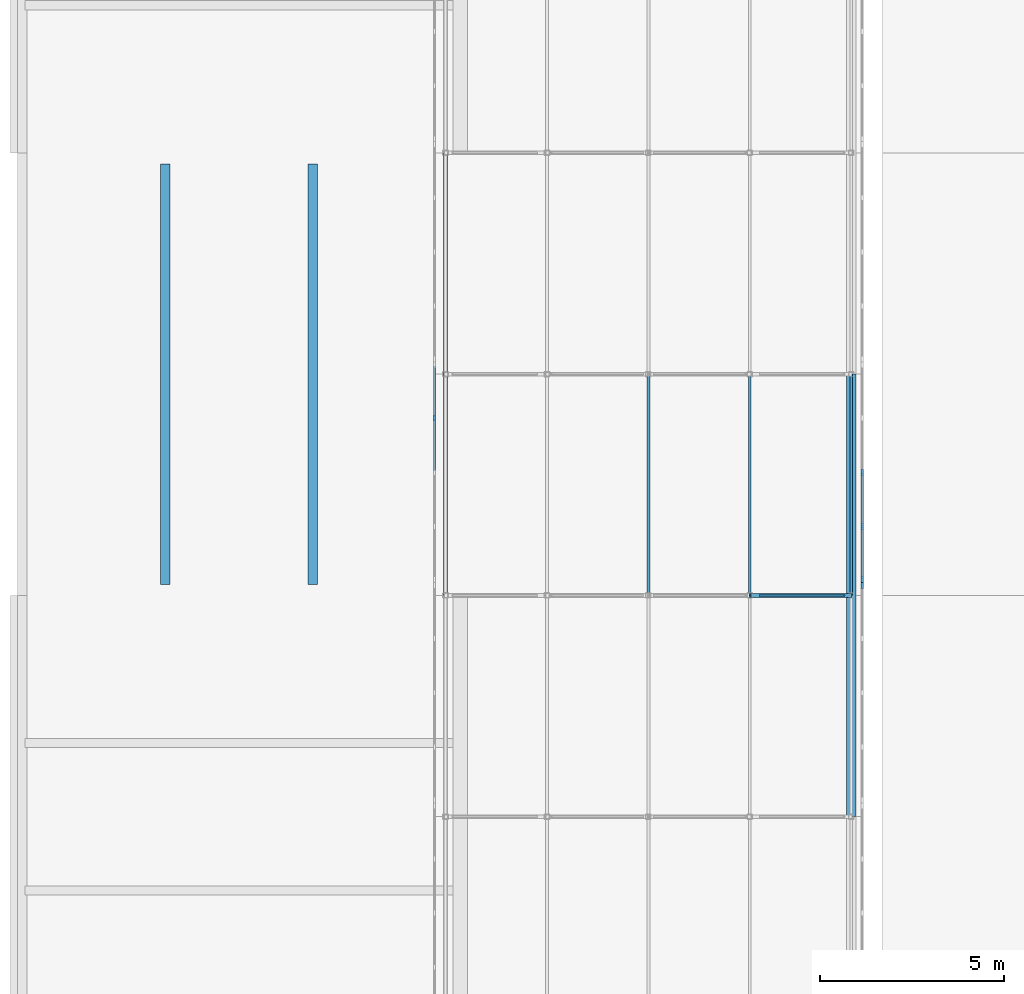
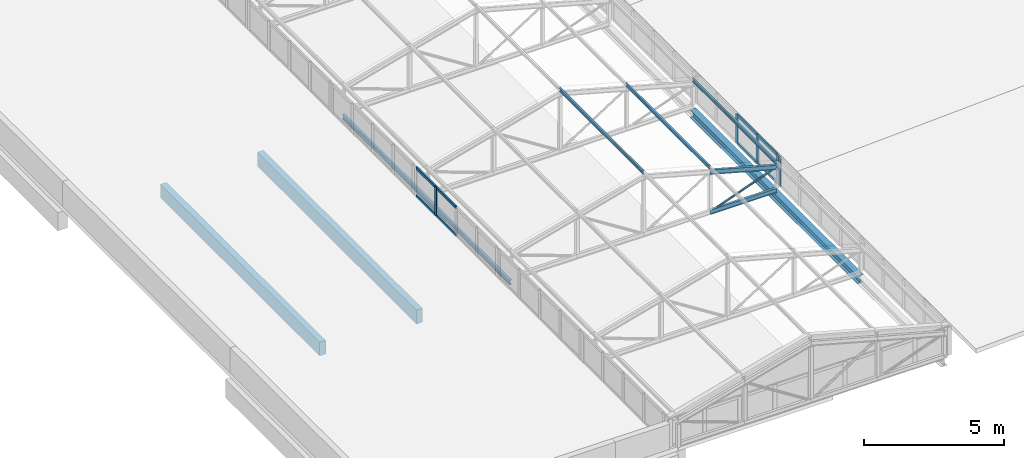
# One storey, part 6 of 94: 19 members, 4 beams, 3 elements without a shape of their own.
"""IFC4 building model written with IfcOpenShell, lengths in metres."""

from ifc_helpers import new_model, si_unit, direction, frame, origin, origin_2d, place, context, subcontext, project, spatial, rectangle, hollow_circle, i_section, extrude, material, layer, layer_set, material_profile, profile_set, type_object, element, aggregate, save


model = new_model("IFC4")

# Units and contexts
model_context = context("Model", 3, precision=1e-05, world=origin(), true_north=direction((0.0, 1.0)))
body_context = subcontext(model_context, "Body", "Model", "MODEL_VIEW")
ifc_project = project(units=[si_unit("LENGTHUNIT", "METRE"), si_unit("AREAUNIT", "SQUARE_METRE"), si_unit("VOLUMEUNIT", "CUBIC_METRE"), si_unit("PLANEANGLEUNIT", "RADIAN"), si_unit("MASSUNIT", "GRAM", prefix="KILO")], contexts=[model_context])

# Site, building, storey
site_placement = place(None, origin())
site = spatial("IfcSite", under=ifc_project, at=site_placement, CompositionType="ELEMENT")
building_placement = place(site_placement, origin())
building = spatial("IfcBuilding", under=site, at=building_placement, Name="Lilac Gate Convention Centre", CompositionType="ELEMENT")
storey_placement = place(building_placement, frame((0.0, 0.0, 21.0)))
storey = spatial("IfcBuildingStorey", under=building, at=storey_placement, Name="L04", CompositionType="ELEMENT", Elevation=21.0)

# Curtain wall, member
ifc_material_1 = material(Name="Aluminium framed double glazing", Category="aluminium")
ifc_layer = layer(ifc_material_1, 0.199951171875)
ifc_layer_set = layer_set([ifc_layer], Name="Aluminium framed double glazing")
curtain_wall_type = type_object("IfcCurtainWallType", Name="Unitised curtain wall 1500", PredefinedType="NOTDEFINED", material=ifc_layer_set)
curtain_wall_1_placement = place(storey_placement, origin())
curtain_wall_1 = element("IfcCurtainWall", 1, at=curtain_wall_1_placement, inside=storey, type_object=curtain_wall_type, Name="Lantern clerestory W 3", PredefinedType="NOTDEFINED")
ifc_material_2 = material(Name="Aluminium alloy 6063", Category="aluminium")
ifc_material_profile_1 = material_profile(ifc_material_2, rectangle(XDim=0.06005859375, YDim=0.159912109375, at=origin_2d()), Name="Curtain wall mullion 60 x 160")
ifc_profile_set_1 = profile_set([ifc_material_profile_1], Name="Aluminium alloy 6063")
member_type_1 = type_object("IfcMemberType", Name="Curtain wall mullion 60 x 160", PredefinedType="MULLION", material=ifc_profile_set_1)
member_1_placement = place(storey_placement, frame((17.300048828125, 46.80615234375, 0.0), z_axis=(0.0, 0.0, 1.0), x_axis=(-1.0, 0.0, 0.0)))
member_1 = element("IfcMember", 2, at=member_1_placement, type_object=member_type_1, Name="CW mullion 4", PredefinedType="MULLION", context=body_context, shape_type="SweptSolid", body=[
    extrude(rectangle(XDim=0.06005859375, YDim=0.159912109375, at=origin_2d()), origin(), (0.0, 0.0, 1.0), 1.272216796875),
])

curtain_wall_2_placement = place(storey_placement, origin())
curtain_wall_2 = element("IfcCurtainWall", 3, at=curtain_wall_2_placement, inside=storey, type_object=curtain_wall_type, Name="Lantern clerestory E 2", PredefinedType="NOTDEFINED")
member_2_placement = place(storey_placement, frame((28.89990234375, 42.27001953125, 0.0), z_axis=(0.0, 0.0, 1.0), x_axis=(-1.0, 0.0, 0.0)))
member_2 = element("IfcMember", 4, at=member_2_placement, type_object=member_type_1, Name="CW mullion 5", PredefinedType="MULLION", context=body_context, shape_type="SweptSolid", body=[
    extrude(rectangle(XDim=0.06005859375, YDim=0.159912109375, at=origin_2d()), origin(), (0.0, 0.0, 1.0), 1.272216796875),
])
aggregate(curtain_wall_2, [member_2])

# Curtain wall, members
curtain_wall_3_placement = place(storey_placement, origin())
curtain_wall_3 = element("IfcCurtainWall", 5, at=curtain_wall_3_placement, inside=storey, type_object=curtain_wall_type, Name="Lantern clerestory E 3", PredefinedType="NOTDEFINED")
member_3_placement = place(storey_placement, frame((28.89990234375, 42.429931640625, 0.0), z_axis=(0.0, 0.0, 1.0), x_axis=(-1.0, 0.0, 0.0)))
member_3 = element("IfcMember", 6, at=member_3_placement, type_object=member_type_1, Name="CW mullion 1", PredefinedType="MULLION", context=body_context, shape_type="SweptSolid", body=[
    extrude(rectangle(XDim=0.06005859375, YDim=0.159912109375, at=origin_2d()), origin(), (0.0, 0.0, 1.0), 1.272216796875),
])
member_4_placement = place(storey_placement, frame((28.89990234375, 43.86865234375, 0.0), z_axis=(0.0, 0.0, 1.0), x_axis=(-1.0, 0.0, 0.0)))
member_4 = element("IfcMember", 7, at=member_4_placement, type_object=member_type_1, Name="CW mullion 2", PredefinedType="MULLION", context=body_context, shape_type="SweptSolid", body=[
    extrude(rectangle(XDim=0.06005859375, YDim=0.159912109375, at=origin_2d()), origin(), (0.0, 0.0, 1.0), 1.272216796875),
])
member_5_placement = place(storey_placement, frame((28.89990234375, 45.33740234375, 0.0), z_axis=(0.0, 0.0, 1.0), x_axis=(-1.0, 0.0, 0.0)))
member_5 = element("IfcMember", 8, at=member_5_placement, type_object=member_type_1, Name="CW mullion 3", PredefinedType="MULLION", context=body_context, shape_type="SweptSolid", body=[
    extrude(rectangle(XDim=0.06005859375, YDim=0.159912109375, at=origin_2d()), origin(), (0.0, 0.0, 1.0), 1.272216796875),
])

# Member
ifc_material_profile_2 = material_profile(ifc_material_2, rectangle(XDim=0.06005859375, YDim=0.1201171875, at=origin_2d()), Name="Curtain wall transom 60 x 120")
ifc_profile_set_2 = profile_set([ifc_material_profile_2], Name="Aluminium alloy 6063")
member_type_2 = type_object("IfcMemberType", Name="Curtain wall transom 60 x 120", PredefinedType="USERDEFINED", material=ifc_profile_set_2)
member_6_placement = place(storey_placement, frame((17.300048828125, 45.367431640625, 0.030029296875), z_axis=(0.0, 1.0, 0.0), x_axis=(-1.0, 0.0, 0.0)))
member_6 = element("IfcMember", 9, at=member_6_placement, type_object=member_type_2, Name="CW transom 3.1", ObjectType="TRANSOM", PredefinedType="USERDEFINED", context=body_context, shape_type="SweptSolid", body=[
    extrude(rectangle(XDim=0.06005859375, YDim=0.1201171875, at=origin_2d()), origin(), (0.0, 0.0, 1.0), 1.40869140625),
])

member_7_placement = place(storey_placement, frame((17.300048828125, 45.367431640625, 1.2421875), z_axis=(0.0, 1.0, 0.0), x_axis=(-1.0, 0.0, 0.0)))
member_7 = element("IfcMember", 10, at=member_7_placement, type_object=member_type_2, Name="CW transom 3.2", ObjectType="TRANSOM", PredefinedType="USERDEFINED", context=body_context, shape_type="SweptSolid", body=[
    extrude(rectangle(XDim=0.06005859375, YDim=0.1201171875, at=origin_2d()), origin(), (0.0, 0.0, 1.0), 1.40869140625),
])

member_8_placement = place(storey_placement, frame((17.300048828125, 46.836181640625, 0.030029296875), z_axis=(0.0, 1.0, 0.0), x_axis=(-1.0, 0.0, 0.0)))
member_8 = element("IfcMember", 11, at=member_8_placement, type_object=member_type_2, Name="CW transom 4.1", ObjectType="TRANSOM", PredefinedType="USERDEFINED", context=body_context, shape_type="SweptSolid", body=[
    extrude(rectangle(XDim=0.06005859375, YDim=0.1201171875, at=origin_2d()), origin(), (0.0, 0.0, 1.0), 1.378662109375),
])

member_9_placement = place(storey_placement, frame((17.300048828125, 46.836181640625, 1.2421875), z_axis=(0.0, 1.0, 0.0), x_axis=(-1.0, 0.0, 0.0)))
member_9 = element("IfcMember", 12, at=member_9_placement, type_object=member_type_2, Name="CW transom 4.2", ObjectType="TRANSOM", PredefinedType="USERDEFINED", context=body_context, shape_type="SweptSolid", body=[
    extrude(rectangle(XDim=0.06005859375, YDim=0.1201171875, at=origin_2d()), origin(), (0.0, 0.0, 1.0), 1.378662109375),
])

aggregate(curtain_wall_1, [member_1, member_6, member_7, member_8, member_9])

member_10_placement = place(storey_placement, frame((28.89990234375, 42.4599609375, 0.030029296875), z_axis=(0.0, 1.0, 0.0), x_axis=(-1.0, 0.0, 0.0)))
member_10 = element("IfcMember", 13, at=member_10_placement, type_object=member_type_2, Name="CW transom 1.1", ObjectType="TRANSOM", PredefinedType="USERDEFINED", context=body_context, shape_type="SweptSolid", body=[
    extrude(rectangle(XDim=0.06005859375, YDim=0.1201171875, at=origin_2d()), origin(), (0.0, 0.0, 1.0), 1.378662109375),
])

member_11_placement = place(storey_placement, frame((28.89990234375, 42.4599609375, 1.2421875), z_axis=(0.0, 1.0, 0.0), x_axis=(-1.0, 0.0, 0.0)))
member_11 = element("IfcMember", 14, at=member_11_placement, type_object=member_type_2, Name="CW transom 1.2", ObjectType="TRANSOM", PredefinedType="USERDEFINED", context=body_context, shape_type="SweptSolid", body=[
    extrude(rectangle(XDim=0.06005859375, YDim=0.1201171875, at=origin_2d()), origin(), (0.0, 0.0, 1.0), 1.378662109375),
])

member_12_placement = place(storey_placement, frame((28.89990234375, 43.898681640625, 0.030029296875), z_axis=(0.0, 1.0, 0.0), x_axis=(-1.0, 0.0, 0.0)))
member_12 = element("IfcMember", 15, at=member_12_placement, type_object=member_type_2, Name="CW transom 2.1", ObjectType="TRANSOM", PredefinedType="USERDEFINED", context=body_context, shape_type="SweptSolid", body=[
    extrude(rectangle(XDim=0.06005859375, YDim=0.1201171875, at=origin_2d()), origin(), (0.0, 0.0, 1.0), 1.40869140625),
])

member_13_placement = place(storey_placement, frame((28.89990234375, 43.898681640625, 1.2421875), z_axis=(0.0, 1.0, 0.0), x_axis=(-1.0, 0.0, 0.0)))
member_13 = element("IfcMember", 16, at=member_13_placement, type_object=member_type_2, Name="CW transom 2.2", ObjectType="TRANSOM", PredefinedType="USERDEFINED", context=body_context, shape_type="SweptSolid", body=[
    extrude(rectangle(XDim=0.06005859375, YDim=0.1201171875, at=origin_2d()), origin(), (0.0, 0.0, 1.0), 1.40869140625),
])

aggregate(curtain_wall_3, [member_3, member_4, member_5, member_10, member_11, member_12, member_13])

# Members
ifc_material_3 = material(Name="Steel Q355B", Category="steel")
ifc_material_profile_3 = material_profile(ifc_material_3, i_section(OverallWidth=0.10009765625, OverallDepth=0.199951171875, WebThickness=0.005615234375, FlangeThickness=0.008056640625, FilletRadius=0.008056640625, at=origin_2d()), Name="HN200x100x5.5x8")
ifc_profile_set_3 = profile_set([ifc_material_profile_3], Name="Steel Q355B")
member_type_3 = type_object("IfcMemberType", Name="Lantern bottom chord HN200x100x5.5x8", PredefinedType="CHORD", material=ifc_profile_set_3)
member_14_placement = place(storey_placement, frame((25.85009765625, 42.0, 0.10009765625), z_axis=(1.0, 0.0, 0.0), x_axis=(0.0, 1.0, 0.0)))
element("IfcMember", 17, at=member_14_placement, inside=storey, type_object=member_type_3, Name="LB1 lantern truss 3 bottom chord 4", PredefinedType="CHORD", context=body_context, shape_type="SweptSolid", body=[
    extrude(i_section(OverallWidth=0.10009765625, OverallDepth=0.199951171875, WebThickness=0.005615234375, FlangeThickness=0.008056640625, FilletRadius=0.008056640625, at=origin_2d()), origin(), (0.0, 0.0, 1.0), 2.75),
])
ifc_material_profile_4 = material_profile(ifc_material_3, hollow_circle(Radius=0.04443359375, WallThickness=0.0048828125, at=origin_2d()), Name="CHS88.9x5")
ifc_profile_set_4 = profile_set([ifc_material_profile_4], Name="Steel Q355B")
member_type_4 = type_object("IfcMemberType", Name="Lantern diagonal CHS88.9x5", PredefinedType="BRACE", material=ifc_profile_set_4)
member_15_placement = place(storey_placement, frame((28.410400390625, 42.0, 1.031005859375), z_axis=(-0.939793423488, 0.0, -0.341743063087), x_axis=(0.0, -1.0, 0.0)))
element("IfcMember", 18, at=member_15_placement, inside=storey, type_object=member_type_4, Name="LW1 lantern truss 3 diagonal 4", PredefinedType="BRACE", context=body_context, shape_type="SweptSolid", body=[
    extrude(hollow_circle(Radius=0.04443359375, WallThickness=0.0048828125, at=origin_2d()), origin(), (0.0, 0.0, 1.0), 2.431884765625),
])
ifc_material_profile_5 = material_profile(ifc_material_3, i_section(OverallWidth=0.074951171875, OverallDepth=0.14990234375, WebThickness=0.0048828125, FlangeThickness=0.007080078125, FilletRadius=0.008056640625, at=origin_2d()), Name="HN150x75x5x7")
ifc_profile_set_5 = profile_set([ifc_material_profile_5], Name="Steel Q355B")
member_type_5 = type_object("IfcMemberType", Name="Lantern purlin HN150x75x5x7", PredefinedType="PURLIN", material=ifc_profile_set_5)
for number, where, z_axis, x_axis, name in (
    (19, (23.10009765625, 42.0, 2.779052734375), (0.0, 1.0, 0.0), (-1.0, 0.0, 0.0), "LP1 lantern purlin bay 3 line 3"),
    (20, (25.85009765625, 42.0, 2.029052734375), (0.0, 1.0, 0.0), (-1.0, 0.0, 0.0), "LP1 lantern purlin bay 3 line 4"),
    (21, (28.60009765625, 42.0, 1.279052734375), (0.0, 1.0, 0.0), (-1.0, 0.0, 0.0), "LP1 lantern purlin bay 3 line 5"),
):
    element("IfcMember", number, at=place(storey_placement, frame(where, z_axis=z_axis, x_axis=x_axis)), inside=storey, type_object=member_type_5, Name=name, PredefinedType="PURLIN", context=body_context, shape_type="SweptSolid", body=[
        extrude(i_section(OverallWidth=0.074951171875, OverallDepth=0.14990234375, WebThickness=0.0048828125, FlangeThickness=0.007080078125, FilletRadius=0.008056640625, at=origin_2d()), origin(), (0.0, 0.0, 1.0), 6.0),
    ])
ifc_material_profile_6 = material_profile(ifc_material_3, i_section(OverallWidth=0.10009765625, OverallDepth=0.199951171875, WebThickness=0.005615234375, FlangeThickness=0.008056640625, FilletRadius=0.008056640625, at=origin_2d()), Name="HN200x100x5.5x8")
ifc_profile_set_6 = profile_set([ifc_material_profile_6], Name="Steel Q355B")
member_type_6 = type_object("IfcMemberType", Name="Lantern top chord HN200x100x5.5x8", PredefinedType="CHORD", material=ifc_profile_set_6)
member_16_placement = place(storey_placement, frame((25.85009765625, 42.0, 1.85009765625), z_axis=(0.964763821238, 0.0, -0.263117405792), x_axis=(0.0, 1.0, 0.0)))
element("IfcMember", 22, at=member_16_placement, inside=storey, type_object=member_type_6, Name="LT1 lantern truss 3 top chord 4", PredefinedType="CHORD", context=body_context, shape_type="SweptSolid", body=[
    extrude(i_section(OverallWidth=0.10009765625, OverallDepth=0.199951171875, WebThickness=0.005615234375, FlangeThickness=0.008056640625, FilletRadius=0.008056640625, at=origin_2d()), origin(), (0.0, 0.0, 1.0), 2.850341796875),
])

# Beams
ifc_material_profile_7 = material_profile(ifc_material_3, i_section(OverallWidth=0.25, OverallDepth=0.340087890625, WebThickness=0.009033203125, FlangeThickness=0.013916015625, FilletRadius=0.012939453125, at=origin_2d()), Name="HM340x250x9x14")
ifc_profile_set_7 = profile_set([ifc_material_profile_7], Name="Steel Q355B")
beam_type_1 = type_object("IfcBeamType", Name="Steel edge beam HM340x250x9x14", PredefinedType="BEAM", material=ifc_profile_set_7)
beam_1_placement = place(storey_placement, frame((28.60009765625, 36.0, -0.169921875), z_axis=(0.0, 1.0, 0.0), x_axis=(-1.0, 0.0, 0.0)))
element("IfcBeam", 23, at=beam_1_placement, inside=storey, type_object=beam_type_1, Name="LE1 lantern edge beam 2", PredefinedType="BEAM", context=body_context, shape_type="SweptSolid", body=[
    extrude(i_section(OverallWidth=0.25, OverallDepth=0.340087890625, WebThickness=0.009033203125, FlangeThickness=0.013916015625, FilletRadius=0.012939453125, at=origin_2d()), origin(), (0.0, 0.0, 1.0), 12.0),
])
ifc_material_profile_8 = material_profile(ifc_material_3, i_section(OverallWidth=0.10009765625, OverallDepth=0.199951171875, WebThickness=0.005615234375, FlangeThickness=0.008056640625, FilletRadius=0.008056640625, at=origin_2d()), Name="HN200x100x5.5x8")
ifc_profile_set_8 = profile_set([ifc_material_profile_8], Name="Steel Q355B")
beam_type_2 = type_object("IfcBeamType", Name="Steel edge beam HN200x100x5.5x8", PredefinedType="BEAM", material=ifc_profile_set_8)
beam_2_placement = place(storey_placement, frame((17.60009765625, 42.0, -0.10009765625), z_axis=(0.0, 1.0, 0.0), x_axis=(-1.0, 0.0, 0.0)))
element("IfcBeam", 24, at=beam_2_placement, inside=storey, type_object=beam_type_2, Name="LE2 lantern west edge beam 2", PredefinedType="BEAM", context=body_context, shape_type="SweptSolid", body=[
    extrude(i_section(OverallWidth=0.10009765625, OverallDepth=0.199951171875, WebThickness=0.005615234375, FlangeThickness=0.008056640625, FilletRadius=0.008056640625, at=origin_2d()), origin(), (0.0, 0.0, 1.0), 12.0),
])
ifc_material_4 = material(Name="Concrete C40", Category="concrete")
ifc_material_profile_9 = material_profile(ifc_material_4, rectangle(XDim=0.25, YDim=0.60009765625, at=origin_2d()), Name="RC 250x600")
ifc_profile_set_9 = profile_set([ifc_material_profile_9], Name="Concrete C40")
beam_type_3 = type_object("IfcBeamType", Name="Tower secondary beam 250x600 C40", PredefinedType="BEAM", material=ifc_profile_set_9)
for number, where, z_axis, x_axis, name in (
    (25, (10.0, 42.300048828125, -0.5), (0.0, 1.0, 0.0), (-1.0, 0.0, 0.0), "RB4 L04 bay 1/B"),
    (26, (14.0, 42.300048828125, -0.5), (0.0, 1.0, 0.0), (-1.0, 0.0, 0.0), "RB4 L04 bay 1/B"),
):
    element("IfcBeam", number, at=place(storey_placement, frame(where, z_axis=z_axis, x_axis=x_axis)), inside=storey, type_object=beam_type_3, Name=name, PredefinedType="BEAM", context=body_context, shape_type="SweptSolid", body=[
        extrude(rectangle(XDim=0.25, YDim=0.60009765625, at=origin_2d()), origin(), (0.0, 0.0, 1.0), 11.39990234375),
    ])

save(model, "model.ifc")
